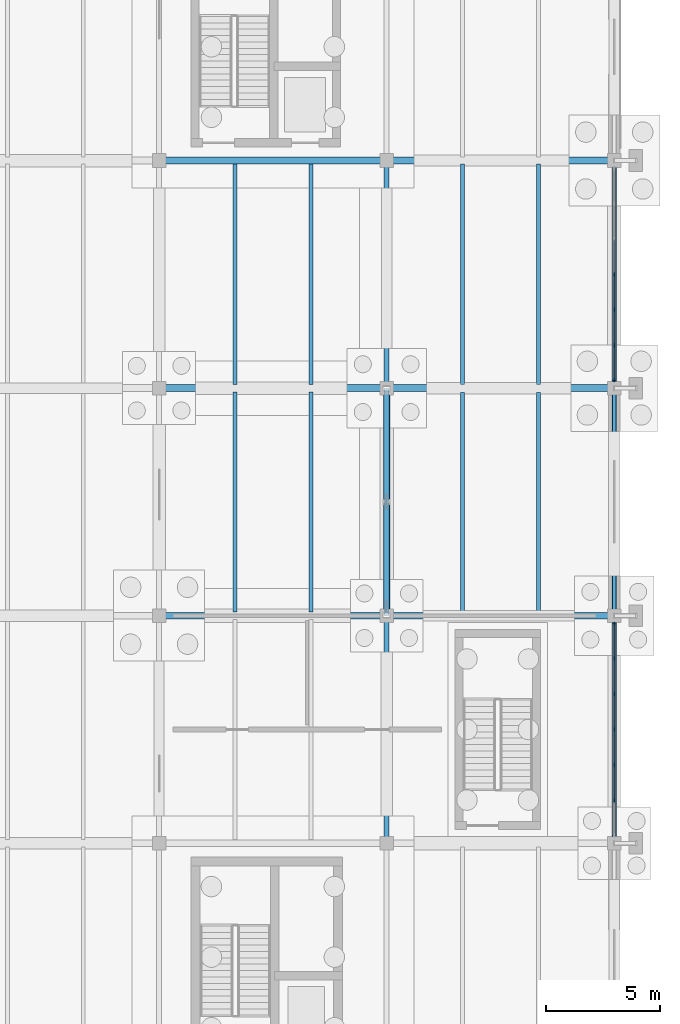
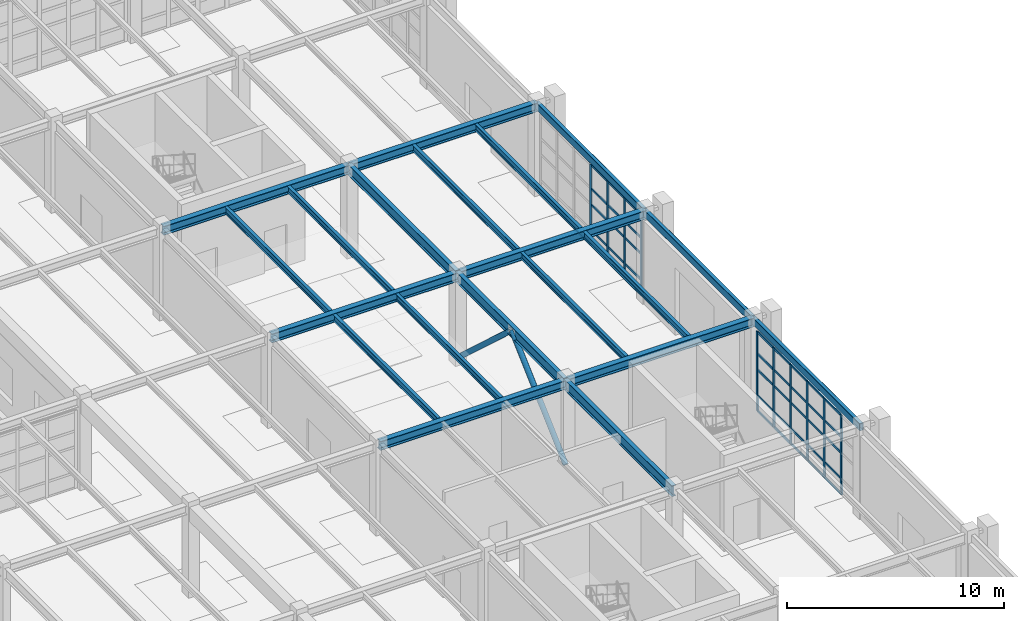
# One storey, part 70 of 145: 53 members, 20 beams, 2 elements without a shape of their own.
"""IFC4 building model written with IfcOpenShell, lengths in metres."""

from ifc_helpers import new_model, si_unit, direction, frame, origin, origin_2d, place, context, subcontext, project, spatial, rectangle, hollow_rectangle, hollow_circle, i_section, extrude, material, layer, layer_set, material_profile, profile_set, type_object, element, aggregate, save


model = new_model("IFC4")

# Units and contexts
model_context = context("Model", 3, precision=1e-05, world=origin(), true_north=direction((0.0, 1.0)))
body_context = subcontext(model_context, "Body", "Model", "MODEL_VIEW")
ifc_project = project(units=[si_unit("LENGTHUNIT", "METRE"), si_unit("AREAUNIT", "SQUARE_METRE"), si_unit("VOLUMEUNIT", "CUBIC_METRE"), si_unit("PLANEANGLEUNIT", "RADIAN"), si_unit("MASSUNIT", "GRAM", prefix="KILO"), si_unit("THERMODYNAMICTEMPERATUREUNIT", "KELVIN"), si_unit("POWERUNIT", "WATT")], contexts=[model_context])

# Site, building, storey
site_placement = place(None, origin())
site = spatial("IfcSite", under=ifc_project, at=site_placement, CompositionType="ELEMENT")
building_placement = place(site_placement, origin())
building = spatial("IfcBuilding", under=site, at=building_placement, Name="Korenveer Ferry Terminal", CompositionType="ELEMENT")
storey_placement = place(building_placement, origin())
storey = spatial("IfcBuildingStorey", under=building, at=storey_placement, Name="L00", CompositionType="ELEMENT", Elevation=0.0)

# Curtain wall, members
ifc_material_1 = material(Name="Unitised bronze-and-glass curtain wall", Category="glass")
ifc_layer_1 = layer(ifc_material_1, 0.159912109375)
ifc_layer_set_1 = layer_set([ifc_layer_1], Name="Unitised bronze-and-glass curtain wall")
curtain_wall_type_1 = type_object("IfcCurtainWallType", Name="ENV-CW-34", PredefinedType="USERDEFINED", material=ifc_layer_set_1)
curtain_wall_1_placement = place(storey_placement, frame((176.0, 39.669921875, 0.0)))
curtain_wall_1 = element("IfcCurtainWall", 1, at=curtain_wall_1_placement, inside=storey, type_object=curtain_wall_type_1, Name="Lancet curtain wall CWX-L00-X176-176-Y30-40", ObjectType="UNITISED CURTAIN WALL", PredefinedType="USERDEFINED")
ifc_material_2 = material(Name="Anodised bronze aluminium", Category="aluminium")
ifc_material_profile_1 = material_profile(ifc_material_2, rectangle(XDim=0.06005859375, YDim=0.159912109375, at=origin_2d()), Name="ALU 60x160")
ifc_profile_set_1 = profile_set([ifc_material_profile_1], Name="Anodised bronze aluminium")
member_type_1 = type_object("IfcMemberType", Name="ENV-CWM-60X160", PredefinedType="MULLION", material=ifc_profile_set_1)
member_1_placement = place(storey_placement, frame((176.0, 39.639892578125, 0.0), z_axis=(0.0, 0.0, 1.0), x_axis=(1.0, 0.0, 0.0)))
member_1 = element("IfcMember", 2, at=member_1_placement, type_object=member_type_1, Name="CW-34 mullion 1", PredefinedType="MULLION", context=body_context, shape_type="SweptSolid", body=[
    extrude(rectangle(XDim=0.06005859375, YDim=0.159912109375, at=origin_2d()), origin(), (0.0, 0.0, 1.0), 4.489990234375),
])
member_2_placement = place(storey_placement, frame((176.0, 38.11328125, 0.0), z_axis=(0.0, 0.0, 1.0), x_axis=(1.0, 0.0, 0.0)))
member_2 = element("IfcMember", 3, at=member_2_placement, type_object=member_type_1, Name="CW-34 mullion 2", PredefinedType="MULLION", context=body_context, shape_type="SweptSolid", body=[
    extrude(rectangle(XDim=0.06005859375, YDim=0.159912109375, at=origin_2d()), origin(), (0.0, 0.0, 1.0), 4.489990234375),
])
member_3_placement = place(storey_placement, frame((176.0, 36.556640625, 0.0), z_axis=(0.0, 0.0, 1.0), x_axis=(1.0, 0.0, 0.0)))
member_3 = element("IfcMember", 4, at=member_3_placement, type_object=member_type_1, Name="CW-34 mullion 3", PredefinedType="MULLION", context=body_context, shape_type="SweptSolid", body=[
    extrude(rectangle(XDim=0.06005859375, YDim=0.159912109375, at=origin_2d()), origin(), (0.0, 0.0, 1.0), 4.489990234375),
])
member_4_placement = place(storey_placement, frame((176.0, 35.0, 0.0), z_axis=(0.0, 0.0, 1.0), x_axis=(1.0, 0.0, 0.0)))
member_4 = element("IfcMember", 5, at=member_4_placement, type_object=member_type_1, Name="CW-34 mullion 4", PredefinedType="MULLION", context=body_context, shape_type="SweptSolid", body=[
    extrude(rectangle(XDim=0.06005859375, YDim=0.159912109375, at=origin_2d()), origin(), (0.0, 0.0, 1.0), 4.489990234375),
])
member_5_placement = place(storey_placement, frame((176.0, 33.443359375, 0.0), z_axis=(0.0, 0.0, 1.0), x_axis=(1.0, 0.0, 0.0)))
member_5 = element("IfcMember", 6, at=member_5_placement, type_object=member_type_1, Name="CW-34 mullion 5", PredefinedType="MULLION", context=body_context, shape_type="SweptSolid", body=[
    extrude(rectangle(XDim=0.06005859375, YDim=0.159912109375, at=origin_2d()), origin(), (0.0, 0.0, 1.0), 4.489990234375),
])
member_6_placement = place(storey_placement, frame((176.0, 31.88671875, 0.0), z_axis=(0.0, 0.0, 1.0), x_axis=(1.0, 0.0, 0.0)))
member_6 = element("IfcMember", 7, at=member_6_placement, type_object=member_type_1, Name="CW-34 mullion 6", PredefinedType="MULLION", context=body_context, shape_type="SweptSolid", body=[
    extrude(rectangle(XDim=0.06005859375, YDim=0.159912109375, at=origin_2d()), origin(), (0.0, 0.0, 1.0), 4.489990234375),
])

ifc_layer_2 = layer(ifc_material_1, 0.159912109375)
ifc_layer_set_2 = layer_set([ifc_layer_2], Name="Unitised bronze-and-glass curtain wall")
curtain_wall_type_2 = type_object("IfcCurtainWallType", Name="ENV-CW-35", PredefinedType="USERDEFINED", material=ifc_layer_set_2)
curtain_wall_2_placement = place(storey_placement, frame((176.0, 59.669921875, 0.0)))
curtain_wall_2 = element("IfcCurtainWall", 8, at=curtain_wall_2_placement, inside=storey, type_object=curtain_wall_type_2, Name="Lancet curtain wall CWX-L00-X176-176-Y50-60", ObjectType="UNITISED CURTAIN WALL", PredefinedType="USERDEFINED")
member_7_placement = place(storey_placement, frame((176.0, 55.0, 0.0), z_axis=(0.0, 0.0, 1.0), x_axis=(1.0, 0.0, 0.0)))
member_7 = element("IfcMember", 9, at=member_7_placement, type_object=member_type_1, Name="CW-35 mullion 4", PredefinedType="MULLION", context=body_context, shape_type="SweptSolid", body=[
    extrude(rectangle(XDim=0.06005859375, YDim=0.159912109375, at=origin_2d()), origin(), (0.0, 0.0, 1.0), 4.590087890625),
])
member_8_placement = place(storey_placement, frame((176.0, 53.443359375, 0.0), z_axis=(0.0, 0.0, 1.0), x_axis=(1.0, 0.0, 0.0)))
member_8 = element("IfcMember", 10, at=member_8_placement, type_object=member_type_1, Name="CW-35 mullion 5", PredefinedType="MULLION", context=body_context, shape_type="SweptSolid", body=[
    extrude(rectangle(XDim=0.06005859375, YDim=0.159912109375, at=origin_2d()), origin(), (0.0, 0.0, 1.0), 4.590087890625),
])
member_9_placement = place(storey_placement, frame((176.0, 51.88671875, 0.0), z_axis=(0.0, 0.0, 1.0), x_axis=(1.0, 0.0, 0.0)))
member_9 = element("IfcMember", 11, at=member_9_placement, type_object=member_type_1, Name="CW-35 mullion 6", PredefinedType="MULLION", context=body_context, shape_type="SweptSolid", body=[
    extrude(rectangle(XDim=0.06005859375, YDim=0.159912109375, at=origin_2d()), origin(), (0.0, 0.0, 1.0), 4.590087890625),
])
member_10_placement = place(storey_placement, frame((176.0, 50.360107421875, 0.0), z_axis=(0.0, 0.0, 1.0), x_axis=(1.0, 0.0, 0.0)))
member_10 = element("IfcMember", 12, at=member_10_placement, type_object=member_type_1, Name="CW-35 mullion 7", PredefinedType="MULLION", context=body_context, shape_type="SweptSolid", body=[
    extrude(rectangle(XDim=0.06005859375, YDim=0.159912109375, at=origin_2d()), origin(), (0.0, 0.0, 1.0), 4.590087890625),
])

# Member
ifc_material_profile_2 = material_profile(ifc_material_2, rectangle(XDim=0.06005859375, YDim=0.1201171875, at=origin_2d()), Name="ALU 60x120")
ifc_profile_set_2 = profile_set([ifc_material_profile_2], Name="Anodised bronze aluminium")
member_type_2 = type_object("IfcMemberType", Name="ENV-CWT-60X120", PredefinedType="USERDEFINED", material=ifc_profile_set_2)
member_11_placement = place(storey_placement, frame((176.0, 39.610107421875, 0.030029296875), z_axis=(0.0, -1.0, 0.0), x_axis=(1.0, 0.0, 0.0)))
member_11 = element("IfcMember", 13, at=member_11_placement, type_object=member_type_2, Name="CW-34 transom 1.1", ObjectType="TRANSOM", PredefinedType="USERDEFINED", context=body_context, shape_type="SweptSolid", body=[
    extrude(rectangle(XDim=0.06005859375, YDim=0.1201171875, at=origin_2d()), origin(), (0.0, 0.0, 1.0), 1.466796875),
])

member_12_placement = place(storey_placement, frame((176.0, 39.610107421875, 0.89990234375), z_axis=(0.0, -1.0, 0.0), x_axis=(1.0, 0.0, 0.0)))
member_12 = element("IfcMember", 14, at=member_12_placement, type_object=member_type_2, Name="CW-34 transom 1.2", ObjectType="TRANSOM", PredefinedType="USERDEFINED", context=body_context, shape_type="SweptSolid", body=[
    extrude(rectangle(XDim=0.06005859375, YDim=0.1201171875, at=origin_2d()), origin(), (0.0, 0.0, 1.0), 1.466796875),
])

member_13_placement = place(storey_placement, frame((176.0, 39.610107421875, 2.35009765625), z_axis=(0.0, -1.0, 0.0), x_axis=(1.0, 0.0, 0.0)))
member_13 = element("IfcMember", 15, at=member_13_placement, type_object=member_type_2, Name="CW-34 transom 1.3", ObjectType="TRANSOM", PredefinedType="USERDEFINED", context=body_context, shape_type="SweptSolid", body=[
    extrude(rectangle(XDim=0.06005859375, YDim=0.1201171875, at=origin_2d()), origin(), (0.0, 0.0, 1.0), 1.466796875),
])

member_14_placement = place(storey_placement, frame((176.0, 39.610107421875, 3.25), z_axis=(0.0, -1.0, 0.0), x_axis=(1.0, 0.0, 0.0)))
member_14 = element("IfcMember", 16, at=member_14_placement, type_object=member_type_2, Name="CW-34 transom 1.4", ObjectType="TRANSOM", PredefinedType="USERDEFINED", context=body_context, shape_type="SweptSolid", body=[
    extrude(rectangle(XDim=0.06005859375, YDim=0.1201171875, at=origin_2d()), origin(), (0.0, 0.0, 1.0), 1.466796875),
])

member_15_placement = place(storey_placement, frame((176.0, 39.610107421875, 4.4599609375), z_axis=(0.0, -1.0, 0.0), x_axis=(1.0, 0.0, 0.0)))
member_15 = element("IfcMember", 17, at=member_15_placement, type_object=member_type_2, Name="CW-34 transom 1.5", ObjectType="TRANSOM", PredefinedType="USERDEFINED", context=body_context, shape_type="SweptSolid", body=[
    extrude(rectangle(XDim=0.06005859375, YDim=0.1201171875, at=origin_2d()), origin(), (0.0, 0.0, 1.0), 1.466796875),
])

member_16_placement = place(storey_placement, frame((176.0, 38.083251953125, 0.030029296875), z_axis=(0.0, -1.0, 0.0), x_axis=(1.0, 0.0, 0.0)))
member_16 = element("IfcMember", 18, at=member_16_placement, type_object=member_type_2, Name="CW-34 transom 2.1", ObjectType="TRANSOM", PredefinedType="USERDEFINED", context=body_context, shape_type="SweptSolid", body=[
    extrude(rectangle(XDim=0.06005859375, YDim=0.1201171875, at=origin_2d()), origin(), (0.0, 0.0, 1.0), 1.49658203125),
])

member_17_placement = place(storey_placement, frame((176.0, 38.083251953125, 0.89990234375), z_axis=(0.0, -1.0, 0.0), x_axis=(1.0, 0.0, 0.0)))
member_17 = element("IfcMember", 19, at=member_17_placement, type_object=member_type_2, Name="CW-34 transom 2.2", ObjectType="TRANSOM", PredefinedType="USERDEFINED", context=body_context, shape_type="SweptSolid", body=[
    extrude(rectangle(XDim=0.06005859375, YDim=0.1201171875, at=origin_2d()), origin(), (0.0, 0.0, 1.0), 1.49658203125),
])

member_18_placement = place(storey_placement, frame((176.0, 38.083251953125, 2.35009765625), z_axis=(0.0, -1.0, 0.0), x_axis=(1.0, 0.0, 0.0)))
member_18 = element("IfcMember", 20, at=member_18_placement, type_object=member_type_2, Name="CW-34 transom 2.3", ObjectType="TRANSOM", PredefinedType="USERDEFINED", context=body_context, shape_type="SweptSolid", body=[
    extrude(rectangle(XDim=0.06005859375, YDim=0.1201171875, at=origin_2d()), origin(), (0.0, 0.0, 1.0), 1.49658203125),
])

member_19_placement = place(storey_placement, frame((176.0, 38.083251953125, 3.25), z_axis=(0.0, -1.0, 0.0), x_axis=(1.0, 0.0, 0.0)))
member_19 = element("IfcMember", 21, at=member_19_placement, type_object=member_type_2, Name="CW-34 transom 2.4", ObjectType="TRANSOM", PredefinedType="USERDEFINED", context=body_context, shape_type="SweptSolid", body=[
    extrude(rectangle(XDim=0.06005859375, YDim=0.1201171875, at=origin_2d()), origin(), (0.0, 0.0, 1.0), 1.49658203125),
])

member_20_placement = place(storey_placement, frame((176.0, 38.083251953125, 4.4599609375), z_axis=(0.0, -1.0, 0.0), x_axis=(1.0, 0.0, 0.0)))
member_20 = element("IfcMember", 22, at=member_20_placement, type_object=member_type_2, Name="CW-34 transom 2.5", ObjectType="TRANSOM", PredefinedType="USERDEFINED", context=body_context, shape_type="SweptSolid", body=[
    extrude(rectangle(XDim=0.06005859375, YDim=0.1201171875, at=origin_2d()), origin(), (0.0, 0.0, 1.0), 1.49658203125),
])

member_21_placement = place(storey_placement, frame((176.0, 36.526611328125, 0.030029296875), z_axis=(0.0, -1.0, 0.0), x_axis=(1.0, 0.0, 0.0)))
member_21 = element("IfcMember", 23, at=member_21_placement, type_object=member_type_2, Name="CW-34 transom 3.1", ObjectType="TRANSOM", PredefinedType="USERDEFINED", context=body_context, shape_type="SweptSolid", body=[
    extrude(rectangle(XDim=0.06005859375, YDim=0.1201171875, at=origin_2d()), origin(), (0.0, 0.0, 1.0), 1.49658203125),
])

member_22_placement = place(storey_placement, frame((176.0, 36.526611328125, 0.89990234375), z_axis=(0.0, -1.0, 0.0), x_axis=(1.0, 0.0, 0.0)))
member_22 = element("IfcMember", 24, at=member_22_placement, type_object=member_type_2, Name="CW-34 transom 3.2", ObjectType="TRANSOM", PredefinedType="USERDEFINED", context=body_context, shape_type="SweptSolid", body=[
    extrude(rectangle(XDim=0.06005859375, YDim=0.1201171875, at=origin_2d()), origin(), (0.0, 0.0, 1.0), 1.49658203125),
])

member_23_placement = place(storey_placement, frame((176.0, 36.526611328125, 2.35009765625), z_axis=(0.0, -1.0, 0.0), x_axis=(1.0, 0.0, 0.0)))
member_23 = element("IfcMember", 25, at=member_23_placement, type_object=member_type_2, Name="CW-34 transom 3.3", ObjectType="TRANSOM", PredefinedType="USERDEFINED", context=body_context, shape_type="SweptSolid", body=[
    extrude(rectangle(XDim=0.06005859375, YDim=0.1201171875, at=origin_2d()), origin(), (0.0, 0.0, 1.0), 1.49658203125),
])

member_24_placement = place(storey_placement, frame((176.0, 36.526611328125, 3.25), z_axis=(0.0, -1.0, 0.0), x_axis=(1.0, 0.0, 0.0)))
member_24 = element("IfcMember", 26, at=member_24_placement, type_object=member_type_2, Name="CW-34 transom 3.4", ObjectType="TRANSOM", PredefinedType="USERDEFINED", context=body_context, shape_type="SweptSolid", body=[
    extrude(rectangle(XDim=0.06005859375, YDim=0.1201171875, at=origin_2d()), origin(), (0.0, 0.0, 1.0), 1.49658203125),
])

member_25_placement = place(storey_placement, frame((176.0, 36.526611328125, 4.4599609375), z_axis=(0.0, -1.0, 0.0), x_axis=(1.0, 0.0, 0.0)))
member_25 = element("IfcMember", 27, at=member_25_placement, type_object=member_type_2, Name="CW-34 transom 3.5", ObjectType="TRANSOM", PredefinedType="USERDEFINED", context=body_context, shape_type="SweptSolid", body=[
    extrude(rectangle(XDim=0.06005859375, YDim=0.1201171875, at=origin_2d()), origin(), (0.0, 0.0, 1.0), 1.49658203125),
])

member_26_placement = place(storey_placement, frame((176.0, 34.969970703125, 0.030029296875), z_axis=(0.0, -1.0, 0.0), x_axis=(1.0, 0.0, 0.0)))
member_26 = element("IfcMember", 28, at=member_26_placement, type_object=member_type_2, Name="CW-34 transom 4.1", ObjectType="TRANSOM", PredefinedType="USERDEFINED", context=body_context, shape_type="SweptSolid", body=[
    extrude(rectangle(XDim=0.06005859375, YDim=0.1201171875, at=origin_2d()), origin(), (0.0, 0.0, 1.0), 1.49658203125),
])

member_27_placement = place(storey_placement, frame((176.0, 34.969970703125, 0.89990234375), z_axis=(0.0, -1.0, 0.0), x_axis=(1.0, 0.0, 0.0)))
member_27 = element("IfcMember", 29, at=member_27_placement, type_object=member_type_2, Name="CW-34 transom 4.2", ObjectType="TRANSOM", PredefinedType="USERDEFINED", context=body_context, shape_type="SweptSolid", body=[
    extrude(rectangle(XDim=0.06005859375, YDim=0.1201171875, at=origin_2d()), origin(), (0.0, 0.0, 1.0), 1.49658203125),
])

member_28_placement = place(storey_placement, frame((176.0, 34.969970703125, 2.35009765625), z_axis=(0.0, -1.0, 0.0), x_axis=(1.0, 0.0, 0.0)))
member_28 = element("IfcMember", 30, at=member_28_placement, type_object=member_type_2, Name="CW-34 transom 4.3", ObjectType="TRANSOM", PredefinedType="USERDEFINED", context=body_context, shape_type="SweptSolid", body=[
    extrude(rectangle(XDim=0.06005859375, YDim=0.1201171875, at=origin_2d()), origin(), (0.0, 0.0, 1.0), 1.49658203125),
])

member_29_placement = place(storey_placement, frame((176.0, 34.969970703125, 3.25), z_axis=(0.0, -1.0, 0.0), x_axis=(1.0, 0.0, 0.0)))
member_29 = element("IfcMember", 31, at=member_29_placement, type_object=member_type_2, Name="CW-34 transom 4.4", ObjectType="TRANSOM", PredefinedType="USERDEFINED", context=body_context, shape_type="SweptSolid", body=[
    extrude(rectangle(XDim=0.06005859375, YDim=0.1201171875, at=origin_2d()), origin(), (0.0, 0.0, 1.0), 1.49658203125),
])

member_30_placement = place(storey_placement, frame((176.0, 34.969970703125, 4.4599609375), z_axis=(0.0, -1.0, 0.0), x_axis=(1.0, 0.0, 0.0)))
member_30 = element("IfcMember", 32, at=member_30_placement, type_object=member_type_2, Name="CW-34 transom 4.5", ObjectType="TRANSOM", PredefinedType="USERDEFINED", context=body_context, shape_type="SweptSolid", body=[
    extrude(rectangle(XDim=0.06005859375, YDim=0.1201171875, at=origin_2d()), origin(), (0.0, 0.0, 1.0), 1.49658203125),
])

member_31_placement = place(storey_placement, frame((176.0, 33.413330078125, 0.030029296875), z_axis=(0.0, -1.0, 0.0), x_axis=(1.0, 0.0, 0.0)))
member_31 = element("IfcMember", 33, at=member_31_placement, type_object=member_type_2, Name="CW-34 transom 5.1", ObjectType="TRANSOM", PredefinedType="USERDEFINED", context=body_context, shape_type="SweptSolid", body=[
    extrude(rectangle(XDim=0.06005859375, YDim=0.1201171875, at=origin_2d()), origin(), (0.0, 0.0, 1.0), 1.49658203125),
])

member_32_placement = place(storey_placement, frame((176.0, 33.413330078125, 0.89990234375), z_axis=(0.0, -1.0, 0.0), x_axis=(1.0, 0.0, 0.0)))
member_32 = element("IfcMember", 34, at=member_32_placement, type_object=member_type_2, Name="CW-34 transom 5.2", ObjectType="TRANSOM", PredefinedType="USERDEFINED", context=body_context, shape_type="SweptSolid", body=[
    extrude(rectangle(XDim=0.06005859375, YDim=0.1201171875, at=origin_2d()), origin(), (0.0, 0.0, 1.0), 1.49658203125),
])

member_33_placement = place(storey_placement, frame((176.0, 33.413330078125, 2.35009765625), z_axis=(0.0, -1.0, 0.0), x_axis=(1.0, 0.0, 0.0)))
member_33 = element("IfcMember", 35, at=member_33_placement, type_object=member_type_2, Name="CW-34 transom 5.3", ObjectType="TRANSOM", PredefinedType="USERDEFINED", context=body_context, shape_type="SweptSolid", body=[
    extrude(rectangle(XDim=0.06005859375, YDim=0.1201171875, at=origin_2d()), origin(), (0.0, 0.0, 1.0), 1.49658203125),
])

member_34_placement = place(storey_placement, frame((176.0, 33.413330078125, 3.25), z_axis=(0.0, -1.0, 0.0), x_axis=(1.0, 0.0, 0.0)))
member_34 = element("IfcMember", 36, at=member_34_placement, type_object=member_type_2, Name="CW-34 transom 5.4", ObjectType="TRANSOM", PredefinedType="USERDEFINED", context=body_context, shape_type="SweptSolid", body=[
    extrude(rectangle(XDim=0.06005859375, YDim=0.1201171875, at=origin_2d()), origin(), (0.0, 0.0, 1.0), 1.49658203125),
])

member_35_placement = place(storey_placement, frame((176.0, 33.413330078125, 4.4599609375), z_axis=(0.0, -1.0, 0.0), x_axis=(1.0, 0.0, 0.0)))
member_35 = element("IfcMember", 37, at=member_35_placement, type_object=member_type_2, Name="CW-34 transom 5.5", ObjectType="TRANSOM", PredefinedType="USERDEFINED", context=body_context, shape_type="SweptSolid", body=[
    extrude(rectangle(XDim=0.06005859375, YDim=0.1201171875, at=origin_2d()), origin(), (0.0, 0.0, 1.0), 1.49658203125),
])

aggregate(curtain_wall_1, [member_1, member_2, member_3, member_4, member_5, member_6, member_11, member_12, member_13, member_14, member_15, member_16, member_17, member_18, member_19, member_20, member_21, member_22, member_23, member_24, member_25, member_26, member_27, member_28, member_29, member_30, member_31, member_32, member_33, member_34, member_35])

member_36_placement = place(storey_placement, frame((176.0, 56.526611328125, 0.030029296875), z_axis=(0.0, -1.0, 0.0), x_axis=(1.0, 0.0, 0.0)))
member_36 = element("IfcMember", 38, at=member_36_placement, type_object=member_type_2, Name="CW-35 transom 3.1", ObjectType="TRANSOM", PredefinedType="USERDEFINED", context=body_context, shape_type="SweptSolid", body=[
    extrude(rectangle(XDim=0.06005859375, YDim=0.1201171875, at=origin_2d()), origin(), (0.0, 0.0, 1.0), 1.49658203125),
])

member_37_placement = place(storey_placement, frame((176.0, 54.969970703125, 0.030029296875), z_axis=(0.0, -1.0, 0.0), x_axis=(1.0, 0.0, 0.0)))
member_37 = element("IfcMember", 39, at=member_37_placement, type_object=member_type_2, Name="CW-35 transom 4.1", ObjectType="TRANSOM", PredefinedType="USERDEFINED", context=body_context, shape_type="SweptSolid", body=[
    extrude(rectangle(XDim=0.06005859375, YDim=0.1201171875, at=origin_2d()), origin(), (0.0, 0.0, 1.0), 1.49658203125),
])

member_38_placement = place(storey_placement, frame((176.0, 54.969970703125, 0.89990234375), z_axis=(0.0, -1.0, 0.0), x_axis=(1.0, 0.0, 0.0)))
member_38 = element("IfcMember", 40, at=member_38_placement, type_object=member_type_2, Name="CW-35 transom 4.2", ObjectType="TRANSOM", PredefinedType="USERDEFINED", context=body_context, shape_type="SweptSolid", body=[
    extrude(rectangle(XDim=0.06005859375, YDim=0.1201171875, at=origin_2d()), origin(), (0.0, 0.0, 1.0), 1.49658203125),
])

member_39_placement = place(storey_placement, frame((176.0, 54.969970703125, 2.35009765625), z_axis=(0.0, -1.0, 0.0), x_axis=(1.0, 0.0, 0.0)))
member_39 = element("IfcMember", 41, at=member_39_placement, type_object=member_type_2, Name="CW-35 transom 4.3", ObjectType="TRANSOM", PredefinedType="USERDEFINED", context=body_context, shape_type="SweptSolid", body=[
    extrude(rectangle(XDim=0.06005859375, YDim=0.1201171875, at=origin_2d()), origin(), (0.0, 0.0, 1.0), 1.49658203125),
])

member_40_placement = place(storey_placement, frame((176.0, 54.969970703125, 3.25), z_axis=(0.0, -1.0, 0.0), x_axis=(1.0, 0.0, 0.0)))
member_40 = element("IfcMember", 42, at=member_40_placement, type_object=member_type_2, Name="CW-35 transom 4.4", ObjectType="TRANSOM", PredefinedType="USERDEFINED", context=body_context, shape_type="SweptSolid", body=[
    extrude(rectangle(XDim=0.06005859375, YDim=0.1201171875, at=origin_2d()), origin(), (0.0, 0.0, 1.0), 1.49658203125),
])

member_41_placement = place(storey_placement, frame((176.0, 54.969970703125, 4.56005859375), z_axis=(0.0, -1.0, 0.0), x_axis=(1.0, 0.0, 0.0)))
member_41 = element("IfcMember", 43, at=member_41_placement, type_object=member_type_2, Name="CW-35 transom 4.5", ObjectType="TRANSOM", PredefinedType="USERDEFINED", context=body_context, shape_type="SweptSolid", body=[
    extrude(rectangle(XDim=0.06005859375, YDim=0.1201171875, at=origin_2d()), origin(), (0.0, 0.0, 1.0), 1.49658203125),
])

member_42_placement = place(storey_placement, frame((176.0, 53.413330078125, 0.030029296875), z_axis=(0.0, -1.0, 0.0), x_axis=(1.0, 0.0, 0.0)))
member_42 = element("IfcMember", 44, at=member_42_placement, type_object=member_type_2, Name="CW-35 transom 5.1", ObjectType="TRANSOM", PredefinedType="USERDEFINED", context=body_context, shape_type="SweptSolid", body=[
    extrude(rectangle(XDim=0.06005859375, YDim=0.1201171875, at=origin_2d()), origin(), (0.0, 0.0, 1.0), 1.49658203125),
])

member_43_placement = place(storey_placement, frame((176.0, 53.413330078125, 0.89990234375), z_axis=(0.0, -1.0, 0.0), x_axis=(1.0, 0.0, 0.0)))
member_43 = element("IfcMember", 45, at=member_43_placement, type_object=member_type_2, Name="CW-35 transom 5.2", ObjectType="TRANSOM", PredefinedType="USERDEFINED", context=body_context, shape_type="SweptSolid", body=[
    extrude(rectangle(XDim=0.06005859375, YDim=0.1201171875, at=origin_2d()), origin(), (0.0, 0.0, 1.0), 1.49658203125),
])

member_44_placement = place(storey_placement, frame((176.0, 53.413330078125, 2.35009765625), z_axis=(0.0, -1.0, 0.0), x_axis=(1.0, 0.0, 0.0)))
member_44 = element("IfcMember", 46, at=member_44_placement, type_object=member_type_2, Name="CW-35 transom 5.3", ObjectType="TRANSOM", PredefinedType="USERDEFINED", context=body_context, shape_type="SweptSolid", body=[
    extrude(rectangle(XDim=0.06005859375, YDim=0.1201171875, at=origin_2d()), origin(), (0.0, 0.0, 1.0), 1.49658203125),
])

member_45_placement = place(storey_placement, frame((176.0, 53.413330078125, 3.25), z_axis=(0.0, -1.0, 0.0), x_axis=(1.0, 0.0, 0.0)))
member_45 = element("IfcMember", 47, at=member_45_placement, type_object=member_type_2, Name="CW-35 transom 5.4", ObjectType="TRANSOM", PredefinedType="USERDEFINED", context=body_context, shape_type="SweptSolid", body=[
    extrude(rectangle(XDim=0.06005859375, YDim=0.1201171875, at=origin_2d()), origin(), (0.0, 0.0, 1.0), 1.49658203125),
])

member_46_placement = place(storey_placement, frame((176.0, 53.413330078125, 4.56005859375), z_axis=(0.0, -1.0, 0.0), x_axis=(1.0, 0.0, 0.0)))
member_46 = element("IfcMember", 48, at=member_46_placement, type_object=member_type_2, Name="CW-35 transom 5.5", ObjectType="TRANSOM", PredefinedType="USERDEFINED", context=body_context, shape_type="SweptSolid", body=[
    extrude(rectangle(XDim=0.06005859375, YDim=0.1201171875, at=origin_2d()), origin(), (0.0, 0.0, 1.0), 1.49658203125),
])

member_47_placement = place(storey_placement, frame((176.0, 51.856689453125, 0.030029296875), z_axis=(0.0, -1.0, 0.0), x_axis=(1.0, 0.0, 0.0)))
member_47 = element("IfcMember", 49, at=member_47_placement, type_object=member_type_2, Name="CW-35 transom 6.1", ObjectType="TRANSOM", PredefinedType="USERDEFINED", context=body_context, shape_type="SweptSolid", body=[
    extrude(rectangle(XDim=0.06005859375, YDim=0.1201171875, at=origin_2d()), origin(), (0.0, 0.0, 1.0), 1.466796875),
])

member_48_placement = place(storey_placement, frame((176.0, 51.856689453125, 0.89990234375), z_axis=(0.0, -1.0, 0.0), x_axis=(1.0, 0.0, 0.0)))
member_48 = element("IfcMember", 50, at=member_48_placement, type_object=member_type_2, Name="CW-35 transom 6.2", ObjectType="TRANSOM", PredefinedType="USERDEFINED", context=body_context, shape_type="SweptSolid", body=[
    extrude(rectangle(XDim=0.06005859375, YDim=0.1201171875, at=origin_2d()), origin(), (0.0, 0.0, 1.0), 1.466796875),
])

member_49_placement = place(storey_placement, frame((176.0, 51.856689453125, 2.35009765625), z_axis=(0.0, -1.0, 0.0), x_axis=(1.0, 0.0, 0.0)))
member_49 = element("IfcMember", 51, at=member_49_placement, type_object=member_type_2, Name="CW-35 transom 6.3", ObjectType="TRANSOM", PredefinedType="USERDEFINED", context=body_context, shape_type="SweptSolid", body=[
    extrude(rectangle(XDim=0.06005859375, YDim=0.1201171875, at=origin_2d()), origin(), (0.0, 0.0, 1.0), 1.466796875),
])

member_50_placement = place(storey_placement, frame((176.0, 51.856689453125, 3.25), z_axis=(0.0, -1.0, 0.0), x_axis=(1.0, 0.0, 0.0)))
member_50 = element("IfcMember", 52, at=member_50_placement, type_object=member_type_2, Name="CW-35 transom 6.4", ObjectType="TRANSOM", PredefinedType="USERDEFINED", context=body_context, shape_type="SweptSolid", body=[
    extrude(rectangle(XDim=0.06005859375, YDim=0.1201171875, at=origin_2d()), origin(), (0.0, 0.0, 1.0), 1.466796875),
])

member_51_placement = place(storey_placement, frame((176.0, 51.856689453125, 4.56005859375), z_axis=(0.0, -1.0, 0.0), x_axis=(1.0, 0.0, 0.0)))
member_51 = element("IfcMember", 53, at=member_51_placement, type_object=member_type_2, Name="CW-35 transom 6.5", ObjectType="TRANSOM", PredefinedType="USERDEFINED", context=body_context, shape_type="SweptSolid", body=[
    extrude(rectangle(XDim=0.06005859375, YDim=0.1201171875, at=origin_2d()), origin(), (0.0, 0.0, 1.0), 1.466796875),
])

aggregate(curtain_wall_2, [member_7, member_8, member_9, member_10, member_36, member_37, member_38, member_39, member_40, member_41, member_42, member_43, member_44, member_45, member_46, member_47, member_48, member_49, member_50, member_51])

# Beams
ifc_material_3 = material(Name="Steel S355", Category="steel")
ifc_material_profile_3 = material_profile(ifc_material_3, i_section(OverallWidth=0.300048828125, OverallDepth=0.5, WebThickness=0.014404296875, FlangeThickness=0.028076171875, FilletRadius=0.027099609375, at=origin_2d()), Name="HEB 500")
ifc_profile_set_3 = profile_set([ifc_material_profile_3], Name="Steel S355")
beam_type_1 = type_object("IfcBeamType", Name="STR-BM-HEB500", PredefinedType="BEAM", material=ifc_profile_set_3)
for number, where, z_axis, x_axis, name in (
    (54, (156.02001953125, 40.0, 4.8701171875), (1.0, 0.0, 0.0), (0.0, 1.0, 0.0), "Primary X girder BMX-L01-X156-166-Y40"),
    (55, (166.02001953125, 40.0, 4.8701171875), (1.0, 0.0, 0.0), (0.0, 1.0, 0.0), "Primary X girder BMX-L01-X166-176-Y40"),
    (56, (156.02001953125, 50.0, 4.8701171875), (1.0, 0.0, 0.0), (0.0, 1.0, 0.0), "Primary X girder BMX-L01-X156-166-Y50"),
    (57, (166.02001953125, 50.0, 4.8701171875), (1.0, 0.0, 0.0), (0.0, 1.0, 0.0), "Primary X girder BMX-L01-X166-176-Y50"),
    (58, (156.02001953125, 60.0, 4.8701171875), (1.0, 0.0, 0.0), (0.0, 1.0, 0.0), "Primary X girder BMX-L01-X156-166-Y60"),
    (59, (166.02001953125, 60.0, 4.8701171875), (1.0, 0.0, 0.0), (0.0, 1.0, 0.0), "Primary X girder BMX-L01-X166-176-Y60"),
):
    element("IfcBeam", number, at=place(storey_placement, frame(where, z_axis=z_axis, x_axis=x_axis)), inside=storey, type_object=beam_type_1, Name=name, PredefinedType="BEAM", context=body_context, shape_type="SweptSolid", body=[
        extrude(i_section(OverallWidth=0.300048828125, OverallDepth=0.5, WebThickness=0.014404296875, FlangeThickness=0.028076171875, FilletRadius=0.027099609375, at=origin_2d()), origin(), (0.0, 0.0, 1.0), 9.9599609375),
    ])
ifc_material_profile_4 = material_profile(ifc_material_3, i_section(OverallWidth=0.219970703125, OverallDepth=0.60009765625, WebThickness=0.011962890625, FlangeThickness=0.01904296875, FilletRadius=0.02392578125, at=origin_2d()), Name="IPE 600")
ifc_profile_set_4 = profile_set([ifc_material_profile_4], Name="Steel S355")
beam_type_2 = type_object("IfcBeamType", Name="STR-BM-IPE600", PredefinedType="BEAM", material=ifc_profile_set_4)
for number, where, z_axis, x_axis, name in (
    (60, (166.0, 30.02001953125, 4.820068359375), (0.0, 1.0, 0.0), (-1.0, 0.0, 0.0), "Primary Y girder BMY-L01-X166-Y30-40"),
    (61, (166.0, 40.02001953125, 4.820068359375), (0.0, 1.0, 0.0), (-1.0, 0.0, 0.0), "Primary Y girder BMY-L01-X166-Y40-50"),
    (62, (166.0, 50.02001953125, 4.820068359375), (0.0, 1.0, 0.0), (-1.0, 0.0, 0.0), "Primary Y girder BMY-L01-X166-Y50-60"),
):
    element("IfcBeam", number, at=place(storey_placement, frame(where, z_axis=z_axis, x_axis=x_axis)), inside=storey, type_object=beam_type_2, Name=name, PredefinedType="BEAM", context=body_context, shape_type="SweptSolid", body=[
        extrude(i_section(OverallWidth=0.219970703125, OverallDepth=0.60009765625, WebThickness=0.011962890625, FlangeThickness=0.01904296875, FilletRadius=0.02392578125, at=origin_2d()), origin(), (0.0, 0.0, 1.0), 9.9599609375),
    ])

# Members
ifc_material_profile_5 = material_profile(ifc_material_3, hollow_circle(Radius=0.136474609375, WallThickness=0.012451171875, at=origin_2d()), Name="CHS 273x12.5")
ifc_profile_set_5 = profile_set([ifc_material_profile_5], Name="Steel S355")
member_type_3 = type_object("IfcMemberType", Name="STR-BRC-CHS273", PredefinedType="BRACE", material=ifc_profile_set_5)
for number, where, z_axis, x_axis, name in (
    (63, (166.0, 40.02001953125, 0.239990234375), (0.0, 0.737517234489, 0.675328311883), (-1.0, 0.0, 0.0), "Lateral stability chevron brace BRCVF-L00-X166-400"),
    (64, (166.0, 45.0, 4.800048828125), (0.0, 0.737517234489, -0.675328311883), (-1.0, 0.0, 0.0), "Lateral stability chevron brace BRCVF-L00-X166-450"),
):
    element("IfcMember", number, at=place(storey_placement, frame(where, z_axis=z_axis, x_axis=x_axis)), inside=storey, type_object=member_type_3, Name=name, PredefinedType="BRACE", context=body_context, shape_type="SweptSolid", body=[
        extrude(hollow_circle(Radius=0.136474609375, WallThickness=0.012451171875, at=origin_2d()), origin(), (0.0, 0.0, 1.0), 6.75244140625),
    ])

# Beams
ifc_material_profile_6 = material_profile(ifc_material_3, i_section(OverallWidth=0.169921875, OverallDepth=0.360107421875, WebThickness=0.008056640625, FlangeThickness=0.0126953125, FilletRadius=0.01806640625, at=origin_2d()), Name="IPE 360")
ifc_profile_set_6 = profile_set([ifc_material_profile_6], Name="Steel S355")
beam_type_3 = type_object("IfcBeamType", Name="STR-JST-IPE360", PredefinedType="JOIST", material=ifc_profile_set_6)
for number, where, z_axis, x_axis, name in (
    (65, (159.333251953125, 40.159912109375, 4.93994140625), (0.0, 1.0, 0.0), (-1.0, 0.0, 0.0), "Secondary composite joist JST-L01-X1593-Y40-50"),
    (66, (162.666748046875, 40.159912109375, 4.93994140625), (0.0, 1.0, 0.0), (-1.0, 0.0, 0.0), "Secondary composite joist JST-L01-X1627-Y40-50"),
    (67, (159.333251953125, 50.159912109375, 4.93994140625), (0.0, 1.0, 0.0), (-1.0, 0.0, 0.0), "Secondary composite joist JST-L01-X1593-Y50-60"),
    (68, (162.666748046875, 50.159912109375, 4.93994140625), (0.0, 1.0, 0.0), (-1.0, 0.0, 0.0), "Secondary composite joist JST-L01-X1627-Y50-60"),
    (69, (169.333251953125, 40.159912109375, 4.93994140625), (0.0, 1.0, 0.0), (-1.0, 0.0, 0.0), "Secondary composite joist JST-L01-X1693-Y40-50"),
    (70, (172.666748046875, 40.159912109375, 4.93994140625), (0.0, 1.0, 0.0), (-1.0, 0.0, 0.0), "Secondary composite joist JST-L01-X1727-Y40-50"),
    (71, (169.333251953125, 50.159912109375, 4.93994140625), (0.0, 1.0, 0.0), (-1.0, 0.0, 0.0), "Secondary composite joist JST-L01-X1693-Y50-60"),
    (72, (172.666748046875, 50.159912109375, 4.93994140625), (0.0, 1.0, 0.0), (-1.0, 0.0, 0.0), "Secondary composite joist JST-L01-X1727-Y50-60"),
):
    element("IfcBeam", number, at=place(storey_placement, frame(where, z_axis=z_axis, x_axis=x_axis)), inside=storey, type_object=beam_type_3, Name=name, PredefinedType="JOIST", context=body_context, shape_type="SweptSolid", body=[
        extrude(i_section(OverallWidth=0.169921875, OverallDepth=0.360107421875, WebThickness=0.008056640625, FlangeThickness=0.0126953125, FilletRadius=0.01806640625, at=origin_2d()), origin(), (0.0, 0.0, 1.0), 9.68017578125),
    ])
ifc_material_profile_7 = material_profile(ifc_material_3, hollow_rectangle(XDim=0.199951171875, YDim=0.39990234375, WallThickness=0.01611328125, InnerFilletRadius=0.01611328125, OuterFilletRadius=0.02392578125, at=origin_2d()), Name="RHS 400x200x16")
ifc_profile_set_7 = profile_set([ifc_material_profile_7], Name="Steel S355")
beam_type_4 = type_object("IfcBeamType", Name="STR-SPD-RHS400", PredefinedType="SPANDREL", material=ifc_profile_set_7)
for number, where, z_axis, x_axis, name in (
    (73, (176.0, 30.02001953125, 4.919921875), (0.0, 1.0, 0.0), (-1.0, 0.0, 0.0), "Primary Y girder BMY-L01-X176-Y30-40"),
    (74, (176.0, 40.02001953125, 4.919921875), (0.0, 1.0, 0.0), (-1.0, 0.0, 0.0), "Primary Y girder BMY-L01-X176-Y40-50"),
    (75, (176.0, 50.02001953125, 4.919921875), (0.0, 1.0, 0.0), (-1.0, 0.0, 0.0), "Primary Y girder BMY-L01-X176-Y50-60"),
):
    element("IfcBeam", number, at=place(storey_placement, frame(where, z_axis=z_axis, x_axis=x_axis)), inside=storey, type_object=beam_type_4, Name=name, PredefinedType="SPANDREL", context=body_context, shape_type="SweptSolid", body=[
        extrude(hollow_rectangle(XDim=0.199951171875, YDim=0.39990234375, WallThickness=0.01611328125, InnerFilletRadius=0.01611328125, OuterFilletRadius=0.02392578125, at=origin_2d()), origin(), (0.0, 0.0, 1.0), 9.9599609375),
    ])

save(model, "model.ifc")
